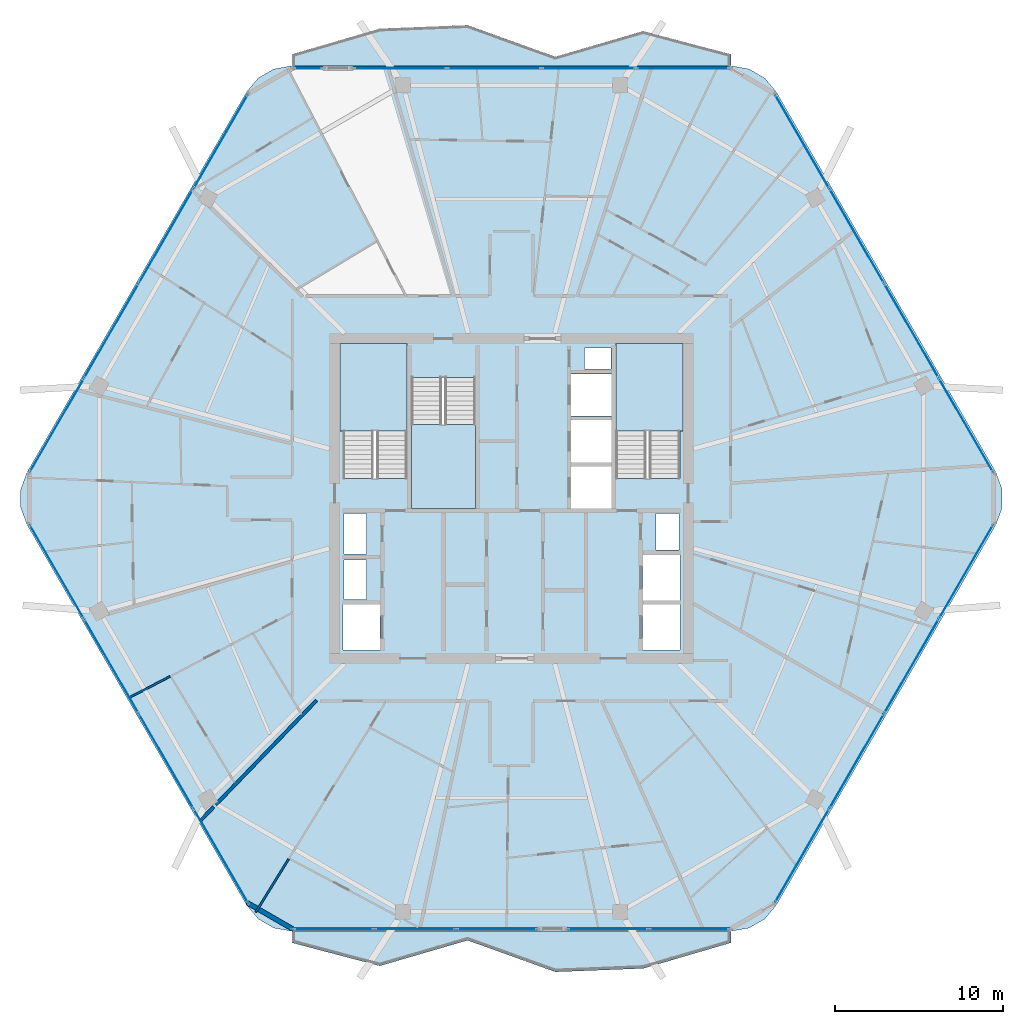
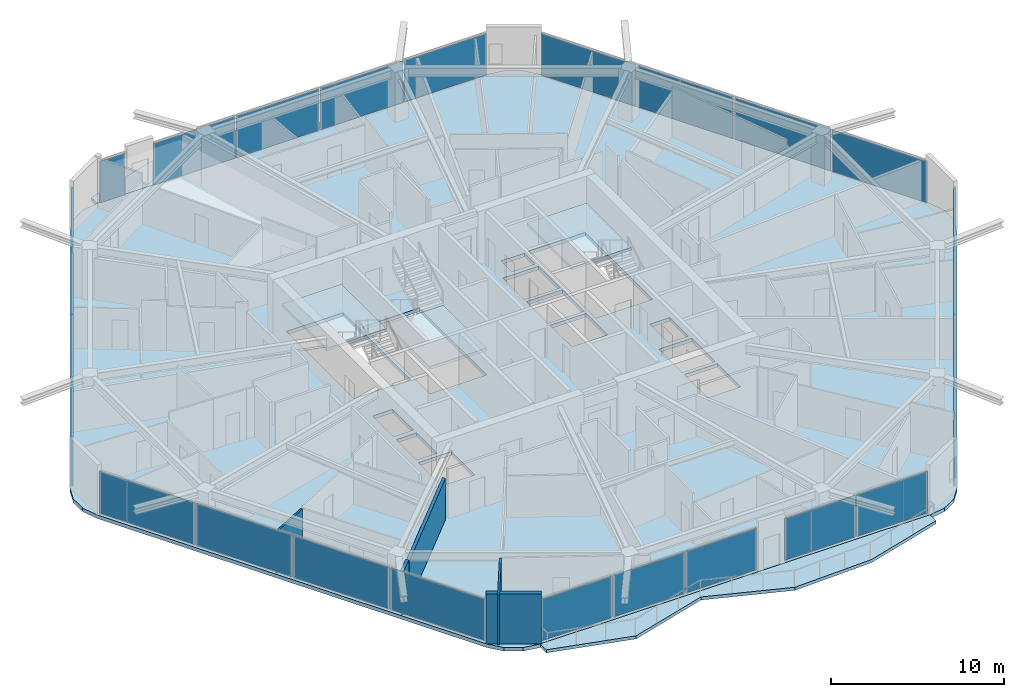
# One storey, part 18 of 26: 26 plates, 6 slabs, 5 walls, 11 elements without a shape of their own.
"""IFC4 building model written with IfcOpenShell, lengths in metres."""

import ifcopenshell
import ifcopenshell.guid

model = None  # the IFC model being written
_history = None  # IfcOwnerHistory: only IFC2X3 demands one
_inside = {}  # id of a spatial element -> (the spatial element, [elements in it])
_under = {}  # id of a project, library or spatial element -> (it, [spatial elements below it])
_declared = {}  # id of a project -> (the project, [libraries it declares])
_typed = {}  # id of a type object -> (the type object, [elements of that type])
_made_of = {}  # id of a material, layer set ... -> (it, [elements and type objects made of it])


def new_model(schema):
    """Start an empty IFC model of exactly this schema.

    Asked for "IFC4X3", IfcOpenShell would pick the latest addendum, in which some entities
    have other attributes; the version numbers below select the first issue.
    IFC2X3 requires an IfcOwnerHistory on every rooted entity: one is made here for all.
    """
    global model, _history
    if schema == "IFC4X3":
        model = ifcopenshell.file(schema_version=(4, 3, 0, 0))
    else:
        model = ifcopenshell.file(schema=schema)
    _inside.clear()
    _under.clear()
    _declared.clear()
    _typed.clear()
    _made_of.clear()
    _history = None
    if model.schema == "IFC2X3":
        org = make("IfcOrganization", Name="unknown")
        user = make(
            "IfcPersonAndOrganization",
            ThePerson=make("IfcPerson", FamilyName="unknown"),
            TheOrganization=org,
        )
        app = make(
            "IfcApplication",
            ApplicationDeveloper=org,
            Version="unknown",
            ApplicationFullName="unknown",
            ApplicationIdentifier="unknown",
        )
        _history = make(
            "IfcOwnerHistory",
            OwningUser=user,
            OwningApplication=app,
            ChangeAction="ADDED",
            CreationDate=0,
        )
    return model


def make(cls, **values):
    """One entity of the class cls with the attributes given. An attribute that is None is left unset."""
    return model.create_entity(
        cls, **{name: value for name, value in values.items() if value is not None}
    )


def rooted(cls, **values):
    """An entity with a GlobalId (a new one), such as an element, a storey or a relation."""
    return make(cls, GlobalId=ifcopenshell.guid.new(), OwnerHistory=_history, **values)


def si_unit(unit_type, name, prefix=None):
    """IfcSIUnit, for example si_unit("LENGTHUNIT", "METRE", prefix="MILLI")."""
    return make("IfcSIUnit", UnitType=unit_type, Prefix=prefix, Name=name)


def assignment(units):
    """IfcUnitAssignment: the units of a project."""
    return None if units is None else make("IfcUnitAssignment", Units=units)


def point(xyz):
    """IfcCartesianPoint."""
    return None if xyz is None else make("IfcCartesianPoint", Coordinates=xyz)


def direction(xyz):
    """IfcDirection."""
    return None if xyz is None else make("IfcDirection", DirectionRatios=xyz)


def frame(location, z_axis=None, x_axis=None):
    """IfcAxis2Placement3D, a coordinate frame: its origin and axes. An axis left out is left unset."""
    return make(
        "IfcAxis2Placement3D",
        Location=point(location),
        Axis=direction(z_axis),
        RefDirection=direction(x_axis),
    )


def frame_2d(location, x_axis=None):
    """IfcAxis2Placement2D, a coordinate frame in the plane: its origin and x axis."""
    return make(
        "IfcAxis2Placement2D", Location=point(location), RefDirection=direction(x_axis)
    )


def origin():
    """The frame at (0, 0, 0) with its axes left unset."""
    return frame((0.0, 0.0, 0.0))


def origin_2d():
    """The frame at (0, 0) in the plane with its x axis left unset."""
    return frame_2d((0.0, 0.0))


def place(relative_to, where):
    """IfcLocalPlacement: puts the frame where relative to a parent placement (None: the world)."""
    return make(
        "IfcLocalPlacement", PlacementRelTo=relative_to, RelativePlacement=where
    )


def context(
    kind, dimensions, precision=None, world=None, true_north=None, identifier=None
):
    """IfcGeometricRepresentationContext, for example the 3D "Model" context."""
    return make(
        "IfcGeometricRepresentationContext",
        ContextIdentifier=identifier,
        ContextType=kind,
        CoordinateSpaceDimension=dimensions,
        Precision=precision,
        WorldCoordinateSystem=world,
        TrueNorth=true_north,
    )


def subcontext(parent, identifier, kind, view, scale=None):
    """IfcGeometricRepresentationSubContext, for example "Body" below "Model"."""
    return make(
        "IfcGeometricRepresentationSubContext",
        ContextIdentifier=identifier,
        ContextType=kind,
        ParentContext=parent,
        TargetScale=scale,
        TargetView=view,
    )


def project(units=None, contexts=None):
    """IfcProject with its units and contexts."""
    return rooted(
        "IfcProject",
        Name="project",
        RepresentationContexts=contexts,
        UnitsInContext=assignment(units),
    )


def spatial(cls, under=None, at=None, **own):
    """A site, building, storey or space (cls), placed at a placement, below another one or the project."""
    s = rooted(cls, ObjectPlacement=at, **own)
    if under is not None:
        _under.setdefault(under.id(), (under, []))[1].append(s)
    return s


def polyline(points):
    """IfcPolyline through the points."""
    return make("IfcPolyline", Points=[point(p) for p in points])


def profile(cls, at=None, kind="AREA", **sizes):
    """A parametric profile (cls). Its sizes go by their IFC names, for example OverallWidth=200.0."""
    return make(cls, ProfileType=kind, Position=at, **sizes)


def rectangle(**sizes):
    """IfcRectangleProfileDef."""
    return profile("IfcRectangleProfileDef", **sizes)


def outline(outer, holes=None, kind="AREA"):
    """IfcArbitraryClosedProfileDef: a profile drawn as a closed curve; with holes, ...WithVoids."""
    if holes is None:
        return make("IfcArbitraryClosedProfileDef", ProfileType=kind, OuterCurve=outer)
    return make(
        "IfcArbitraryProfileDefWithVoids",
        ProfileType=kind,
        OuterCurve=outer,
        InnerCurves=holes,
    )


def extrude(swept, where, along, depth):
    """IfcExtrudedAreaSolid: the profile swept, set in the frame where, extruded along a direction by depth."""
    return make(
        "IfcExtrudedAreaSolid",
        SweptArea=swept,
        Position=where,
        ExtrudedDirection=direction(along),
        Depth=depth,
    )


def shape(context_of_items, identifier, shape_type, items):
    """IfcShapeRepresentation: the items that make up one representation, for example the "Body"."""
    return make(
        "IfcShapeRepresentation",
        ContextOfItems=context_of_items,
        RepresentationIdentifier=identifier,
        RepresentationType=shape_type,
        Items=items,
    )


def material(Name=None, Category=None):
    """IfcMaterial."""
    return make("IfcMaterial", Name=Name, Category=Category)


def layer(
    of_material, thickness, ventilated=None, Name=None, Category=None, Priority=None
):
    """IfcMaterialLayer: one layer of a wall or slab, of a material (None: an air gap)."""
    return make(
        "IfcMaterialLayer",
        Material=of_material,
        LayerThickness=thickness,
        IsVentilated=ventilated,
        Name=Name,
        Category=Category,
        Priority=Priority,
    )


def layer_set(layers, Name=None):
    """IfcMaterialLayerSet."""
    return make("IfcMaterialLayerSet", MaterialLayers=layers, LayerSetName=Name)


def made_of(thing, what):
    """Note that an element or type object is made of a material, layer set ...; save() writes the relation."""
    if what is not None:
        _made_of.setdefault(what.id(), (what, []))[1].append(thing)
    return thing


def type_object(cls, material=None, **own):
    """A type object (cls), such as IfcWallType, which elements share."""
    return made_of(rooted(cls, **own), material)


def element(
    cls,
    number,
    at=None,
    inside=None,
    cuts=None,
    type_object=None,
    material=None,
    context=None,
    identifier="Body",
    shape_type=None,
    held_by="IfcProductDefinitionShape",
    body=None,
    shapes=None,
    **own,
):
    """One element of the class cls, such as IfcWall. Its Tag is "e" and its number.

    at: its placement. inside: the storey or other place that contains it. cuts: it is an
    opening in that element (IfcRelVoidsElement). A single representation is given by context,
    identifier, shape_type and body (its items); several are given by shapes. held_by: the class
    of the entity that holds the representations. save() writes the other relations.
    """
    e = rooted(cls, Tag="e%d" % number, ObjectPlacement=at, **own)
    if body is not None:
        shapes = [shape(context, identifier, shape_type, body)]
    if shapes is not None:
        e.Representation = make(held_by, Representations=shapes)
    if inside is not None:
        _inside.setdefault(inside.id(), (inside, []))[1].append(e)
    if cuts is not None:
        rooted(
            "IfcRelVoidsElement", RelatingBuildingElement=cuts, RelatedOpeningElement=e
        )
    if type_object is not None:
        _typed.setdefault(type_object.id(), (type_object, []))[1].append(e)
    return made_of(e, material)


def aggregate(whole, parts):
    """IfcRelAggregates: a whole, such as a stair, and the parts it consists of."""
    return rooted("IfcRelAggregates", RelatingObject=whole, RelatedObjects=parts)


def save(model, path):
    """Write the relations noted so far, then the file.

    IfcRelAggregates (storeys below a building ...), IfcRelContainedInSpatialStructure (elements
    in a storey), IfcRelDefinesByType, IfcRelAssociatesMaterial and IfcRelDeclares: one each for
    every whole, place, type object, material and project.
    """
    for whole, parts in _under.values():
        aggregate(whole, parts)
    for where, things in _inside.values():
        rooted(
            "IfcRelContainedInSpatialStructure",
            RelatedElements=things,
            RelatingStructure=where,
        )
    for kind, things in _typed.values():
        rooted("IfcRelDefinesByType", RelatedObjects=things, RelatingType=kind)
    for what, things in _made_of.values():
        rooted("IfcRelAssociatesMaterial", RelatedObjects=things, RelatingMaterial=what)
    for by, libraries in _declared.values():
        rooted("IfcRelDeclares", RelatingContext=by, RelatedDefinitions=libraries)
    model.write(path)


model = new_model("IFC4")

# Units and contexts
model_context = context("Model", 3, precision=1e-05, world=origin(), true_north=direction((0.0, 1.0)))
body_context = subcontext(model_context, "Body", "Model", "MODEL_VIEW")
ifc_project = project(units=[si_unit("LENGTHUNIT", "METRE"), si_unit("AREAUNIT", "SQUARE_METRE"), si_unit("VOLUMEUNIT", "CUBIC_METRE"), si_unit("PLANEANGLEUNIT", "RADIAN"), si_unit("MASSUNIT", "GRAM", prefix="KILO")], contexts=[model_context])

# Site, building, storey
site_placement = place(None, origin())
site = spatial("IfcSite", under=ifc_project, at=site_placement, CompositionType="ELEMENT")
building_placement = place(site_placement, origin())
building = spatial("IfcBuilding", under=site, at=building_placement, Name="Zuhravey Tower", CompositionType="ELEMENT")
storey_placement = place(building_placement, frame((0.0, 0.0, 242.60009765625)))
storey = spatial("IfcBuildingStorey", under=building, at=storey_placement, Name="L61", CompositionType="ELEMENT", Elevation=242.60009765625)

# Slabs
ifc_material_1 = material(Name="Concrete C50/60", Category="concrete")
ifc_layer_1 = layer(ifc_material_1, 0.25)
ifc_layer_set_1 = layer_set([ifc_layer_1], Name="Concrete C50/60")
slab_type_1 = type_object("IfcSlabType", Name="Residential Acoustic Slab 250", PredefinedType="FLOOR", material=ifc_layer_set_1)
slab_1_placement = place(storey_placement, frame((0.0, 0.0, -0.25)))
element("IfcSlab", 1, at=slab_1_placement, inside=storey, type_object=slab_type_1, Name="L61 Floor Slab FS25", PredefinedType="FLOOR", context=body_context, shape_type="SweptSolid", body=[
    extrude(outline(polyline([(64.78515625, 30.449951171875), (65.1533203125, 31.461669921875), (65.1533203125, 32.538330078125), (64.78515625, 33.550048828125), (51.73486328125, 56.153564453125), (51.04296875, 56.978515625), (50.110595703125, 57.5166015625), (49.05029296875, 57.70361328125), (22.94970703125, 57.70361328125), (21.889404296875, 57.5166015625), (20.95703125, 56.978515625), (20.26513671875, 56.153564453125), (7.21484375, 33.550048828125), (6.8466796875, 32.538330078125), (6.8466796875, 31.461669921875), (7.21484375, 30.449951171875), (20.26513671875, 7.846435546875), (20.95703125, 7.021484375), (21.889404296875, 6.4833984375), (22.94970703125, 6.29638671875), (49.05029296875, 6.29638671875), (50.110595703125, 6.4833984375), (51.04296875, 7.021484375), (51.73486328125, 7.846435546875), (64.78515625, 30.449951171875)]), holes=[polyline([(29.800048828125, 33.20068359375), (29.800048828125, 41.0), (26.0, 41.0), (26.0, 33.20068359375), (29.800048828125, 33.20068359375)]), polyline([(46.0, 33.20068359375), (46.0, 41.0), (42.199951171875, 41.0), (42.199951171875, 33.20068359375), (46.0, 33.20068359375)]), polyline([(30.050048828125, 39.199462890625), (30.050048828125, 31.39990234375), (33.85009765625, 31.39990234375), (33.85009765625, 39.199462890625), (30.050048828125, 39.199462890625)]), polyline([(39.550048828125, 31.39990234375), (41.949951171875, 31.39990234375), (41.949951171875, 33.89990234375), (39.550048828125, 33.89990234375), (39.550048828125, 31.39990234375)]), polyline([(39.550048828125, 34.14990234375), (41.949951171875, 34.14990234375), (41.949951171875, 36.64990234375), (39.550048828125, 36.64990234375), (39.550048828125, 34.14990234375)]), polyline([(39.550048828125, 36.89990234375), (41.949951171875, 36.89990234375), (41.949951171875, 39.39990234375), (39.550048828125, 39.39990234375), (39.550048828125, 36.89990234375)]), polyline([(26.0, 23.0), (28.199951171875, 23.0), (28.199951171875, 25.699951171875), (26.0, 25.699951171875), (26.0, 23.0)]), polyline([(43.800048828125, 23.0), (46.0, 23.0), (46.0, 25.699951171875), (43.800048828125, 25.699951171875), (43.800048828125, 23.0)]), polyline([(43.800048828125, 25.949951171875), (46.0, 25.949951171875), (46.0, 28.64990234375), (43.800048828125, 28.64990234375), (43.800048828125, 25.949951171875)]), polyline([(26.050048828125, 26.0), (27.39990234375, 26.0), (27.39990234375, 28.35009765625), (26.050048828125, 28.35009765625), (26.050048828125, 26.0)]), polyline([(26.050048828125, 28.699951171875), (27.39990234375, 28.699951171875), (27.39990234375, 31.10009765625), (26.050048828125, 31.10009765625), (26.050048828125, 28.699951171875)]), polyline([(44.60009765625, 28.949951171875), (45.949951171875, 28.949951171875), (45.949951171875, 31.10009765625), (44.60009765625, 31.10009765625), (44.60009765625, 28.949951171875)]), polyline([(40.35009765625, 39.699951171875), (41.89990234375, 39.699951171875), (41.89990234375, 40.949951171875), (40.35009765625, 40.949951171875), (40.35009765625, 39.699951171875)])]), origin(), (0.0, 0.0, 1.0), 0.25),
])
ifc_material_2 = material(Name="Concrete C40/50", Category="concrete")
ifc_layer_2 = layer(ifc_material_2, 0.219970703125)
ifc_layer_set_2 = layer_set([ifc_layer_2], Name="Concrete C40/50")
slab_type_2 = type_object("IfcSlabType", Name="Sinusoidal Residential Wave Balcony 220", PredefinedType="FLOOR", material=ifc_layer_set_2)
slab_2_placement = place(storey_placement, frame((0.0, 0.0, -0.22021484375)))
element("IfcSlab", 2, at=slab_2_placement, inside=storey, type_object=slab_type_2, Name="L61 Face 2 Wave Balcony WB22", PredefinedType="FLOOR", context=body_context, shape_type="SweptSolid", body=[
    extrude(outline(polyline([(49.04150390625, 57.688720703125), (22.95849609375, 57.688720703125), (22.95849609375, 58.388671875), (28.175048828125, 59.91650390625), (33.3916015625, 60.120849609375), (38.6083984375, 58.24560546875), (43.824951171875, 59.765869140625), (49.04150390625, 58.388671875), (49.04150390625, 57.688720703125)])), origin(), (0.0, 0.0, 1.0), 0.22021484375),
])
slab_3_placement = place(storey_placement, frame((0.0, 0.0, -0.22021484375)))
element("IfcSlab", 3, at=slab_3_placement, inside=storey, type_object=slab_type_2, Name="L61 Face 5 Wave Balcony WB22", PredefinedType="FLOOR", context=body_context, shape_type="SweptSolid", body=[
    extrude(outline(polyline([(22.95849609375, 6.311279296875), (49.04150390625, 6.311279296875), (49.04150390625, 5.611328125), (43.824951171875, 4.08349609375), (38.6083984375, 3.879150390625), (33.3916015625, 5.75439453125), (28.175048828125, 4.234130859375), (22.95849609375, 5.611328125), (22.95849609375, 6.311279296875)])), origin(), (0.0, 0.0, 1.0), 0.22021484375),
])

# Stair, slab
stair_type = type_object("IfcStairType", Name="Housing Storey Stair Assembly 3800", PredefinedType="HALF_TURN_STAIR", material=ifc_material_2)
stair_1_placement = place(storey_placement, origin())
stair_1 = element("IfcStair", 4, at=stair_1_placement, inside=storey, type_object=stair_type, Name="L61 Core Exit Stair ST1", PredefinedType="HALF_TURN_STAIR")
ifc_layer_3 = layer(ifc_material_2, 0.199951171875)
ifc_layer_set_3 = layer_set([ifc_layer_3], Name="Concrete C40/50")
slab_type_3 = type_object("IfcSlabType", Name="Stair Landing Slab 200", PredefinedType="LANDING", material=ifc_layer_set_3)
slab_4_placement = place(storey_placement, frame((0.0, 0.0, 1.699951171875)))
slab_4 = element("IfcSlab", 5, at=slab_4_placement, type_object=slab_type_3, Name="ST1 landing 1", PredefinedType="LANDING", context=body_context, shape_type="SweptSolid", body=[
    extrude(outline(polyline([(29.800048828125, 36.0), (29.800048828125, 41.197998046875), (25.802001953125, 41.197998046875), (25.802001953125, 36.0), (29.800048828125, 36.0)])), origin(), (0.0, 0.0, 1.0), 0.199951171875),
])
aggregate(stair_1, [slab_4])

stair_2_placement = place(storey_placement, origin())
stair_2 = element("IfcStair", 6, at=stair_2_placement, inside=storey, type_object=stair_type, Name="L61 Core Exit Stair ST2", PredefinedType="HALF_TURN_STAIR")
slab_5_placement = place(storey_placement, frame((0.0, 0.0, 1.699951171875)))
slab_5 = element("IfcSlab", 7, at=slab_5_placement, type_object=slab_type_3, Name="ST2 landing 1", PredefinedType="LANDING", context=body_context, shape_type="SweptSolid", body=[
    extrude(outline(polyline([(46.197998046875, 36.0), (46.197998046875, 41.197998046875), (42.199951171875, 41.197998046875), (42.199951171875, 36.0), (46.197998046875, 36.0)])), origin(), (0.0, 0.0, 1.0), 0.199951171875),
])
aggregate(stair_2, [slab_5])

stair_3_placement = place(storey_placement, origin())
stair_3 = element("IfcStair", 8, at=stair_3_placement, inside=storey, type_object=stair_type, Name="L61 Core Exit Stair ST3", PredefinedType="HALF_TURN_STAIR")
slab_6_placement = place(storey_placement, frame((0.0, 0.0, 1.699951171875)))
slab_6 = element("IfcSlab", 9, at=slab_6_placement, type_object=slab_type_3, Name="ST3 landing 1", PredefinedType="LANDING", context=body_context, shape_type="SweptSolid", body=[
    extrude(outline(polyline([(30.050048828125, 36.39990234375), (30.050048828125, 31.39990234375), (33.85009765625, 31.39990234375), (33.85009765625, 36.39990234375), (30.050048828125, 36.39990234375)])), origin(), (0.0, 0.0, 1.0), 0.199951171875),
])
aggregate(stair_3, [slab_6])

# Curtain wall, plates
ifc_material_3 = material(Name="Thermally broken anodised aluminium", Category="aluminium")
curtain_wall_type = type_object("IfcCurtainWallType", Name="Zone 3-4 High-Rise Curtain Wall CW4", PredefinedType="NOTDEFINED", material=ifc_material_3)
curtain_wall_1_placement = place(storey_placement, origin())
curtain_wall_1 = element("IfcCurtainWall", 10, at=curtain_wall_1_placement, inside=storey, type_object=curtain_wall_type, Name="L61 CW4 CW-L61-F6-1", PredefinedType="NOTDEFINED")
ifc_material_4 = material(Name="Triple low-E insulated vision glass", Category="glass")
ifc_layer_4 = layer(ifc_material_4, 0.0419921875)
ifc_layer_set_4 = layer_set([ifc_layer_4], Name="Triple low-E insulated vision glass")
plate_type = type_object("IfcPlateType", Name="Triple Low-E Vision Panel", PredefinedType="CURTAIN_PANEL", material=ifc_layer_set_4)
plate_1_placement = place(storey_placement, frame((63.00732421875, 27.650634765625, 0.08984375), z_axis=(0.0, 0.0, 1.0), x_axis=(-0.500000957414, -0.866024851021, 0.0)))
plate_1 = element("IfcPlate", 11, at=plate_1_placement, type_object=plate_type, Name="CW4 panel 1.1", PredefinedType="CURTAIN_PANEL", context=body_context, shape_type="SweptSolid", body=[
    extrude(rectangle(XDim=6.371337890625, YDim=0.0419921875, at=origin_2d()), origin(), (0.0, 0.0, 1.0), 2.94189453125),
])
plate_2_placement = place(storey_placement, frame((59.765380859375, 22.03564453125, 0.08984375), z_axis=(0.0, 0.0, 1.0), x_axis=(-0.500000957414, -0.866024851021, 0.0)))
plate_2 = element("IfcPlate", 12, at=plate_2_placement, type_object=plate_type, Name="CW4 panel 2.1", PredefinedType="CURTAIN_PANEL", context=body_context, shape_type="SweptSolid", body=[
    extrude(rectangle(XDim=6.416259765625, YDim=0.0419921875, at=origin_2d()), origin(), (0.0, 0.0, 1.0), 2.94189453125),
])
plate_3_placement = place(storey_placement, frame((56.51220703125, 16.40087890625, 0.08984375), z_axis=(0.0, 0.0, 1.0), x_axis=(-0.500000957414, -0.866024851021, 0.0)))
plate_3 = element("IfcPlate", 13, at=plate_3_placement, type_object=plate_type, Name="CW4 panel 3.1", PredefinedType="CURTAIN_PANEL", context=body_context, shape_type="SweptSolid", body=[
    extrude(rectangle(XDim=6.416259765625, YDim=0.0419921875, at=origin_2d()), origin(), (0.0, 0.0, 1.0), 2.94189453125),
])
plate_4_placement = place(storey_placement, frame((53.270263671875, 10.78564453125, 0.08984375), z_axis=(0.0, 0.0, 1.0), x_axis=(-0.500000957414, -0.866024851021, 0.0)))
plate_4 = element("IfcPlate", 14, at=plate_4_placement, type_object=plate_type, Name="CW4 panel 4.1", PredefinedType="CURTAIN_PANEL", context=body_context, shape_type="SweptSolid", body=[
    extrude(rectangle(XDim=6.371337890625, YDim=0.0419921875, at=origin_2d()), origin(), (0.0, 0.0, 1.0), 2.94189453125),
])
aggregate(curtain_wall_1, [plate_1, plate_2, plate_3, plate_4])

curtain_wall_2_placement = place(storey_placement, origin())
curtain_wall_2 = element("IfcCurtainWall", 15, at=curtain_wall_2_placement, inside=storey, type_object=curtain_wall_type, Name="L61 CW4 CW-L61-F5-1", PredefinedType="NOTDEFINED")
plate_5_placement = place(storey_placement, frame((46.55859375, 6.436279296875, 0.08984375), z_axis=(0.0, 0.0, 1.0), x_axis=(-1.0, 0.0, 0.0)))
plate_5 = element("IfcPlate", 16, at=plate_5_placement, type_object=plate_type, Name="CW4 panel 1.1", PredefinedType="CURTAIN_PANEL", context=body_context, shape_type="SweptSolid", body=[
    extrude(rectangle(XDim=4.728515625, YDim=0.0419921875, at=origin_2d()), origin(), (0.0, 0.0, 1.0), 2.94189453125),
])
plate_6_placement = place(storey_placement, frame((41.739990234375, 6.436279296875, 0.08984375), z_axis=(0.0, 0.0, 1.0), x_axis=(-1.0, 0.0, 0.0)))
plate_6 = element("IfcPlate", 17, at=plate_6_placement, type_object=plate_type, Name="CW4 panel 2.1", PredefinedType="CURTAIN_PANEL", context=body_context, shape_type="SweptSolid", body=[
    extrude(rectangle(XDim=4.728515625, YDim=0.0419921875, at=origin_2d()), origin(), (0.0, 0.0, 1.0), 2.94189453125),
])
aggregate(curtain_wall_2, [plate_5, plate_6])

curtain_wall_3_placement = place(storey_placement, origin())
curtain_wall_3 = element("IfcCurtainWall", 18, at=curtain_wall_3_placement, inside=storey, type_object=curtain_wall_type, Name="L61 CW4 CW-L61-F5-2", PredefinedType="NOTDEFINED")
plate_7_placement = place(storey_placement, frame((35.130126953125, 6.436279296875, 0.08984375), z_axis=(0.0, 0.0, 1.0), x_axis=(-1.0, 0.0, 0.0)))
plate_7 = element("IfcPlate", 19, at=plate_7_placement, type_object=plate_type, Name="CW4 panel 1.1", PredefinedType="CURTAIN_PANEL", context=body_context, shape_type="SweptSolid", body=[
    extrude(rectangle(XDim=4.731201171875, YDim=0.0419921875, at=origin_2d()), origin(), (0.0, 0.0, 1.0), 2.94189453125),
])
plate_8_placement = place(storey_placement, frame((30.28662109375, 6.436279296875, 0.08984375), z_axis=(0.0, 0.0, 1.0), x_axis=(-1.0, 0.0, 0.0)))
plate_8 = element("IfcPlate", 20, at=plate_8_placement, type_object=plate_type, Name="CW4 panel 2.1", PredefinedType="CURTAIN_PANEL", context=body_context, shape_type="SweptSolid", body=[
    extrude(rectangle(XDim=4.776123046875, YDim=0.0419921875, at=origin_2d()), origin(), (0.0, 0.0, 1.0), 2.94189453125),
])
plate_9_placement = place(storey_placement, frame((25.44287109375, 6.436279296875, 0.08984375), z_axis=(0.0, 0.0, 1.0), x_axis=(-1.0, 0.0, 0.0)))
plate_9 = element("IfcPlate", 21, at=plate_9_placement, type_object=plate_type, Name="CW4 panel 3.1", PredefinedType="CURTAIN_PANEL", context=body_context, shape_type="SweptSolid", body=[
    extrude(rectangle(XDim=4.731201171875, YDim=0.0419921875, at=origin_2d()), origin(), (0.0, 0.0, 1.0), 2.94189453125),
])
aggregate(curtain_wall_3, [plate_7, plate_8, plate_9])

curtain_wall_4_placement = place(storey_placement, origin())
curtain_wall_4 = element("IfcCurtainWall", 22, at=curtain_wall_4_placement, inside=storey, type_object=curtain_wall_type, Name="L61 CW4 CW-L61-F4-1", PredefinedType="NOTDEFINED")
plate_10_placement = place(storey_placement, frame((18.729736328125, 10.78564453125, 0.08984375), z_axis=(0.0, 0.0, 1.0), x_axis=(-0.500000957414, 0.866024851021, 0.0)))
plate_10 = element("IfcPlate", 23, at=plate_10_placement, type_object=plate_type, Name="CW4 panel 1.1", PredefinedType="CURTAIN_PANEL", context=body_context, shape_type="SweptSolid", body=[
    extrude(rectangle(XDim=6.371337890625, YDim=0.0419921875, at=origin_2d()), origin(), (0.0, 0.0, 1.0), 2.94189453125),
])
plate_11_placement = place(storey_placement, frame((15.48779296875, 16.40087890625, 0.08984375), z_axis=(0.0, 0.0, 1.0), x_axis=(-0.500000957414, 0.866024851021, 0.0)))
plate_11 = element("IfcPlate", 24, at=plate_11_placement, type_object=plate_type, Name="CW4 panel 2.1", PredefinedType="CURTAIN_PANEL", context=body_context, shape_type="SweptSolid", body=[
    extrude(rectangle(XDim=6.416259765625, YDim=0.0419921875, at=origin_2d()), origin(), (0.0, 0.0, 1.0), 2.94189453125),
])
plate_12_placement = place(storey_placement, frame((12.234619140625, 22.03564453125, 0.08984375), z_axis=(0.0, 0.0, 1.0), x_axis=(-0.500000957414, 0.866024851021, 0.0)))
plate_12 = element("IfcPlate", 25, at=plate_12_placement, type_object=plate_type, Name="CW4 panel 3.1", PredefinedType="CURTAIN_PANEL", context=body_context, shape_type="SweptSolid", body=[
    extrude(rectangle(XDim=6.416259765625, YDim=0.0419921875, at=origin_2d()), origin(), (0.0, 0.0, 1.0), 2.94189453125),
])
plate_13_placement = place(storey_placement, frame((8.99267578125, 27.650634765625, 0.08984375), z_axis=(0.0, 0.0, 1.0), x_axis=(-0.500000957414, 0.866024851021, 0.0)))
plate_13 = element("IfcPlate", 26, at=plate_13_placement, type_object=plate_type, Name="CW4 panel 4.1", PredefinedType="CURTAIN_PANEL", context=body_context, shape_type="SweptSolid", body=[
    extrude(rectangle(XDim=6.371337890625, YDim=0.0419921875, at=origin_2d()), origin(), (0.0, 0.0, 1.0), 2.94189453125),
])
aggregate(curtain_wall_4, [plate_10, plate_11, plate_12, plate_13])

curtain_wall_5_placement = place(storey_placement, origin())
curtain_wall_5 = element("IfcCurtainWall", 27, at=curtain_wall_5_placement, inside=storey, type_object=curtain_wall_type, Name="L61 CW4 CW-L61-F3-1", PredefinedType="NOTDEFINED")
plate_14_placement = place(storey_placement, frame((8.99267578125, 36.349365234375, 0.08984375), z_axis=(0.0, 0.0, 1.0), x_axis=(0.500000957414, 0.866024851021, 0.0)))
plate_14 = element("IfcPlate", 28, at=plate_14_placement, type_object=plate_type, Name="CW4 panel 1.1", PredefinedType="CURTAIN_PANEL", context=body_context, shape_type="SweptSolid", body=[
    extrude(rectangle(XDim=6.371337890625, YDim=0.0419921875, at=origin_2d()), origin(), (0.0, 0.0, 1.0), 2.94189453125),
])
plate_15_placement = place(storey_placement, frame((12.234619140625, 41.96435546875, 0.08984375), z_axis=(0.0, 0.0, 1.0), x_axis=(0.500000957414, 0.866024851021, 0.0)))
plate_15 = element("IfcPlate", 29, at=plate_15_placement, type_object=plate_type, Name="CW4 panel 2.1", PredefinedType="CURTAIN_PANEL", context=body_context, shape_type="SweptSolid", body=[
    extrude(rectangle(XDim=6.416259765625, YDim=0.0419921875, at=origin_2d()), origin(), (0.0, 0.0, 1.0), 2.94189453125),
])
plate_16_placement = place(storey_placement, frame((15.48779296875, 47.59912109375, 0.08984375), z_axis=(0.0, 0.0, 1.0), x_axis=(0.500000957414, 0.866024851021, 0.0)))
plate_16 = element("IfcPlate", 30, at=plate_16_placement, type_object=plate_type, Name="CW4 panel 3.1", PredefinedType="CURTAIN_PANEL", context=body_context, shape_type="SweptSolid", body=[
    extrude(rectangle(XDim=6.416259765625, YDim=0.0419921875, at=origin_2d()), origin(), (0.0, 0.0, 1.0), 2.94189453125),
])
plate_17_placement = place(storey_placement, frame((18.729736328125, 53.21435546875, 0.08984375), z_axis=(0.0, 0.0, 1.0), x_axis=(0.500000957414, 0.866024851021, 0.0)))
plate_17 = element("IfcPlate", 31, at=plate_17_placement, type_object=plate_type, Name="CW4 panel 4.1", PredefinedType="CURTAIN_PANEL", context=body_context, shape_type="SweptSolid", body=[
    extrude(rectangle(XDim=6.371337890625, YDim=0.0419921875, at=origin_2d()), origin(), (0.0, 0.0, 1.0), 2.94189453125),
])
aggregate(curtain_wall_5, [plate_14, plate_15, plate_16, plate_17])

# Curtain wall, plate
curtain_wall_6_placement = place(storey_placement, origin())
curtain_wall_6 = element("IfcCurtainWall", 32, at=curtain_wall_6_placement, inside=storey, type_object=curtain_wall_type, Name="L61 CW4 CW-L61-F2-1", PredefinedType="NOTDEFINED")
plate_18_placement = place(storey_placement, frame((23.918212890625, 57.563720703125, 0.08984375), z_axis=(0.0, 0.0, 1.0), x_axis=(1.0, 0.0, 0.0)))
plate_18 = element("IfcPlate", 33, at=plate_18_placement, type_object=plate_type, Name="CW4 panel 1.1", PredefinedType="CURTAIN_PANEL", context=body_context, shape_type="SweptSolid", body=[
    extrude(rectangle(XDim=1.681884765625, YDim=0.0419921875, at=origin_2d()), origin(), (0.0, 0.0, 1.0), 2.94189453125),
])
aggregate(curtain_wall_6, [plate_18])

# Curtain wall, plates
curtain_wall_7_placement = place(storey_placement, origin())
curtain_wall_7 = element("IfcCurtainWall", 34, at=curtain_wall_7_placement, inside=storey, type_object=curtain_wall_type, Name="L61 CW4 CW-L61-F2-2", PredefinedType="NOTDEFINED")
plate_19_placement = place(storey_placement, frame((29.379638671875, 57.563720703125, 0.08984375), z_axis=(0.0, 0.0, 1.0), x_axis=(1.0, 0.0, 0.0)))
plate_19 = element("IfcPlate", 35, at=plate_19_placement, type_object=plate_type, Name="CW4 panel 1.1", PredefinedType="CURTAIN_PANEL", context=body_context, shape_type="SweptSolid", body=[
    extrude(rectangle(XDim=5.48095703125, YDim=0.0419921875, at=origin_2d()), origin(), (0.0, 0.0, 1.0), 2.94189453125),
])
plate_20_placement = place(storey_placement, frame((34.972900390625, 57.563720703125, 0.08984375), z_axis=(0.0, 0.0, 1.0), x_axis=(1.0, 0.0, 0.0)))
plate_20 = element("IfcPlate", 36, at=plate_20_placement, type_object=plate_type, Name="CW4 panel 2.1", PredefinedType="CURTAIN_PANEL", context=body_context, shape_type="SweptSolid", body=[
    extrude(rectangle(XDim=5.52587890625, YDim=0.0419921875, at=origin_2d()), origin(), (0.0, 0.0, 1.0), 2.94189453125),
])
plate_21_placement = place(storey_placement, frame((40.5888671875, 57.563720703125, 0.08984375), z_axis=(0.0, 0.0, 1.0), x_axis=(1.0, 0.0, 0.0)))
plate_21 = element("IfcPlate", 37, at=plate_21_placement, type_object=plate_type, Name="CW4 panel 3.1", PredefinedType="CURTAIN_PANEL", context=body_context, shape_type="SweptSolid", body=[
    extrude(rectangle(XDim=5.52587890625, YDim=0.0419921875, at=origin_2d()), origin(), (0.0, 0.0, 1.0), 2.94189453125),
])
plate_22_placement = place(storey_placement, frame((46.18212890625, 57.563720703125, 0.08984375), z_axis=(0.0, 0.0, 1.0), x_axis=(1.0, 0.0, 0.0)))
plate_22 = element("IfcPlate", 38, at=plate_22_placement, type_object=plate_type, Name="CW4 panel 4.1", PredefinedType="CURTAIN_PANEL", context=body_context, shape_type="SweptSolid", body=[
    extrude(rectangle(XDim=5.48095703125, YDim=0.0419921875, at=origin_2d()), origin(), (0.0, 0.0, 1.0), 2.94189453125),
])
aggregate(curtain_wall_7, [plate_19, plate_20, plate_21, plate_22])

curtain_wall_8_placement = place(storey_placement, origin())
curtain_wall_8 = element("IfcCurtainWall", 39, at=curtain_wall_8_placement, inside=storey, type_object=curtain_wall_type, Name="L61 CW4 CW-L61-F1-1", PredefinedType="NOTDEFINED")
plate_23_placement = place(storey_placement, frame((53.270263671875, 53.21435546875, 0.08984375), z_axis=(0.0, 0.0, 1.0), x_axis=(0.500000957414, -0.866024851021, 0.0)))
plate_23 = element("IfcPlate", 40, at=plate_23_placement, type_object=plate_type, Name="CW4 panel 1.1", PredefinedType="CURTAIN_PANEL", context=body_context, shape_type="SweptSolid", body=[
    extrude(rectangle(XDim=6.371337890625, YDim=0.0419921875, at=origin_2d()), origin(), (0.0, 0.0, 1.0), 2.94189453125),
])
plate_24_placement = place(storey_placement, frame((56.51220703125, 47.59912109375, 0.08984375), z_axis=(0.0, 0.0, 1.0), x_axis=(0.500000957414, -0.866024851021, 0.0)))
plate_24 = element("IfcPlate", 41, at=plate_24_placement, type_object=plate_type, Name="CW4 panel 2.1", PredefinedType="CURTAIN_PANEL", context=body_context, shape_type="SweptSolid", body=[
    extrude(rectangle(XDim=6.416259765625, YDim=0.0419921875, at=origin_2d()), origin(), (0.0, 0.0, 1.0), 2.94189453125),
])
plate_25_placement = place(storey_placement, frame((59.765380859375, 41.96435546875, 0.08984375), z_axis=(0.0, 0.0, 1.0), x_axis=(0.500000957414, -0.866024851021, 0.0)))
plate_25 = element("IfcPlate", 42, at=plate_25_placement, type_object=plate_type, Name="CW4 panel 3.1", PredefinedType="CURTAIN_PANEL", context=body_context, shape_type="SweptSolid", body=[
    extrude(rectangle(XDim=6.416259765625, YDim=0.0419921875, at=origin_2d()), origin(), (0.0, 0.0, 1.0), 2.94189453125),
])
plate_26_placement = place(storey_placement, frame((63.00732421875, 36.349365234375, 0.08984375), z_axis=(0.0, 0.0, 1.0), x_axis=(0.500000957414, -0.866024851021, 0.0)))
plate_26 = element("IfcPlate", 43, at=plate_26_placement, type_object=plate_type, Name="CW4 panel 4.1", PredefinedType="CURTAIN_PANEL", context=body_context, shape_type="SweptSolid", body=[
    extrude(rectangle(XDim=6.371337890625, YDim=0.0419921875, at=origin_2d()), origin(), (0.0, 0.0, 1.0), 2.94189453125),
])
aggregate(curtain_wall_8, [plate_23, plate_24, plate_25, plate_26])

# Walls
ifc_material_5 = material(Name="Precast concrete C40/50", Category="concrete")
ifc_layer_5 = layer(ifc_material_5, 0.280029296875)
ifc_layer_set_5 = layer_set([ifc_layer_5], Name="Precast concrete C40/50")
wall_type_1 = type_object("IfcWallType", Name="Crown Architectural Wall 280", PredefinedType="SOLIDWALL", material=ifc_layer_set_5)
wall_1_placement = place(storey_placement, frame((23.069580078125, 6.388916015625, 0.0), z_axis=(0.0, 0.0, 1.0), x_axis=(-0.866028773314, 0.499994163758, 0.0)))
element("IfcWall", 44, at=wall_1_placement, inside=storey, type_object=wall_type_1, Name="L61 Rounded Corner Closure Wall EW28-04", PredefinedType="SOLIDWALL", context=body_context, shape_type="SweptSolid", body=[
    extrude(rectangle(XDim=3.21484375, YDim=0.280029296875, at=frame_2d((1.607421875, 0.0))), origin(), (0.0, 0.0, 1.0), 3.5498046875),
])
ifc_material_6 = material(Name="Gypsum double-stud party assembly")
ifc_layer_6 = layer(ifc_material_6, 0.199951171875)
ifc_layer_set_6 = layer_set([ifc_layer_6], Name="Gypsum double-stud party assembly")
wall_type_2 = type_object("IfcWallType", Name="Inter-Tenancy Party Wall 200", PredefinedType="PARTITIONING", material=ifc_layer_set_6)
wall_2_placement = place(storey_placement, frame((24.42138671875, 20.010009765625, 0.0), z_axis=(0.0, 0.0, 1.0), x_axis=(-0.694650551067, -0.719347351355, 0.0)))
element("IfcWall", 45, at=wall_2_placement, inside=storey, type_object=wall_type_2, Name="L61 IW20 Partition 090", PredefinedType="PARTITIONING", context=body_context, shape_type="SweptSolid", body=[
    extrude(rectangle(XDim=8.630126953125, YDim=0.199951171875, at=frame_2d((4.31494140625, 0.0))), origin(), (0.0, 0.0, 1.0), 2.929931640625),
])
wall_3_placement = place(storey_placement, frame((18.303955078125, 13.67529296875, 0.0), z_axis=(0.0, 0.0, 1.0), x_axis=(-0.69467624965, -0.719322534175, 0.0)))
element("IfcWall", 46, at=wall_3_placement, inside=storey, type_object=wall_type_2, Name="L61 IW20 Partition 091", PredefinedType="PARTITIONING", context=body_context, shape_type="SweptSolid", body=[
    extrude(rectangle(XDim=1.119384765625, YDim=0.199951171875, at=frame_2d((0.5595703125, 0.0))), origin(), (0.0, 0.0, 1.0), 3.121826171875),
])
ifc_material_7 = material(Name="Gypsum metal-stud partition")
ifc_layer_7 = layer(ifc_material_7, 0.1201171875)
ifc_layer_set_7 = layer_set([ifc_layer_7], Name="Gypsum metal-stud partition")
wall_type_3 = type_object("IfcWallType", Name="Unit Internal Partition 120", PredefinedType="PARTITIONING", material=ifc_layer_set_7)
wall_4_placement = place(storey_placement, frame((15.727783203125, 21.43798828125, 0.0), z_axis=(0.0, 0.0, 1.0), x_axis=(-0.886855386052, -0.462047101745, 0.0)))
element("IfcWall", 47, at=wall_4_placement, inside=storey, type_object=wall_type_3, Name="L61 IW12 Partition 088", PredefinedType="PARTITIONING", context=body_context, shape_type="SweptSolid", body=[
    extrude(rectangle(XDim=2.73388671875, YDim=0.1201171875, at=frame_2d((1.366943359375, 0.0))), origin(), (0.0, 0.0, 1.0), 2.929931640625),
])
wall_5_placement = place(storey_placement, frame((22.769775390625, 10.59521484375, 0.0), z_axis=(0.0, 0.0, 1.0), x_axis=(-0.525761118402, -0.850632262718, 0.0)))
element("IfcWall", 48, at=wall_5_placement, inside=storey, type_object=wall_type_3, Name="L61 IW12 Partition 093", PredefinedType="PARTITIONING", context=body_context, shape_type="SweptSolid", body=[
    extrude(rectangle(XDim=3.739501953125, YDim=0.1201171875, at=frame_2d((1.86962890625, 0.0))), origin(), (0.0, 0.0, 1.0), 3.5498046875),
])

save(model, "model.ifc")
